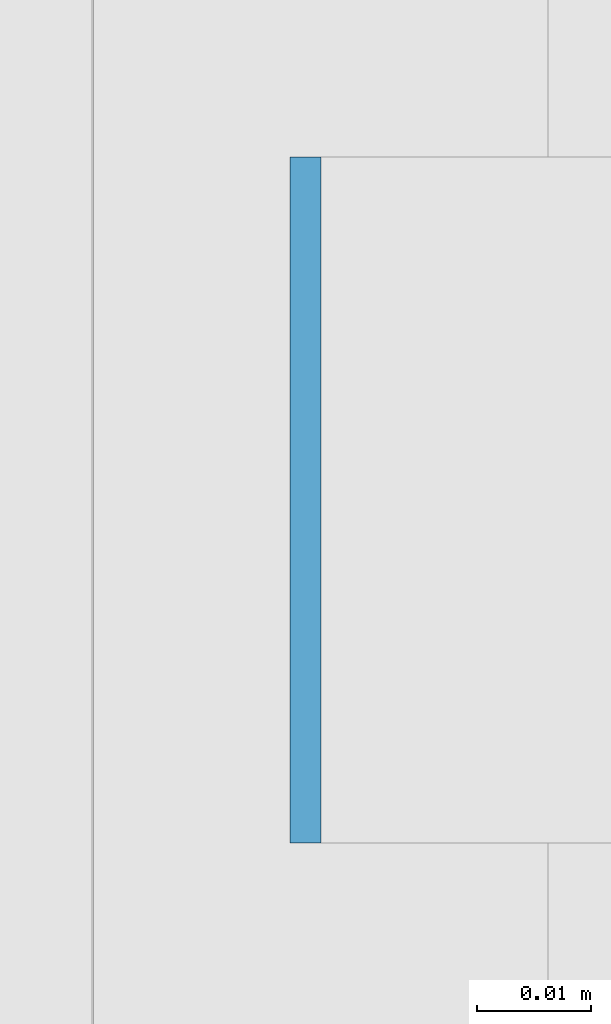
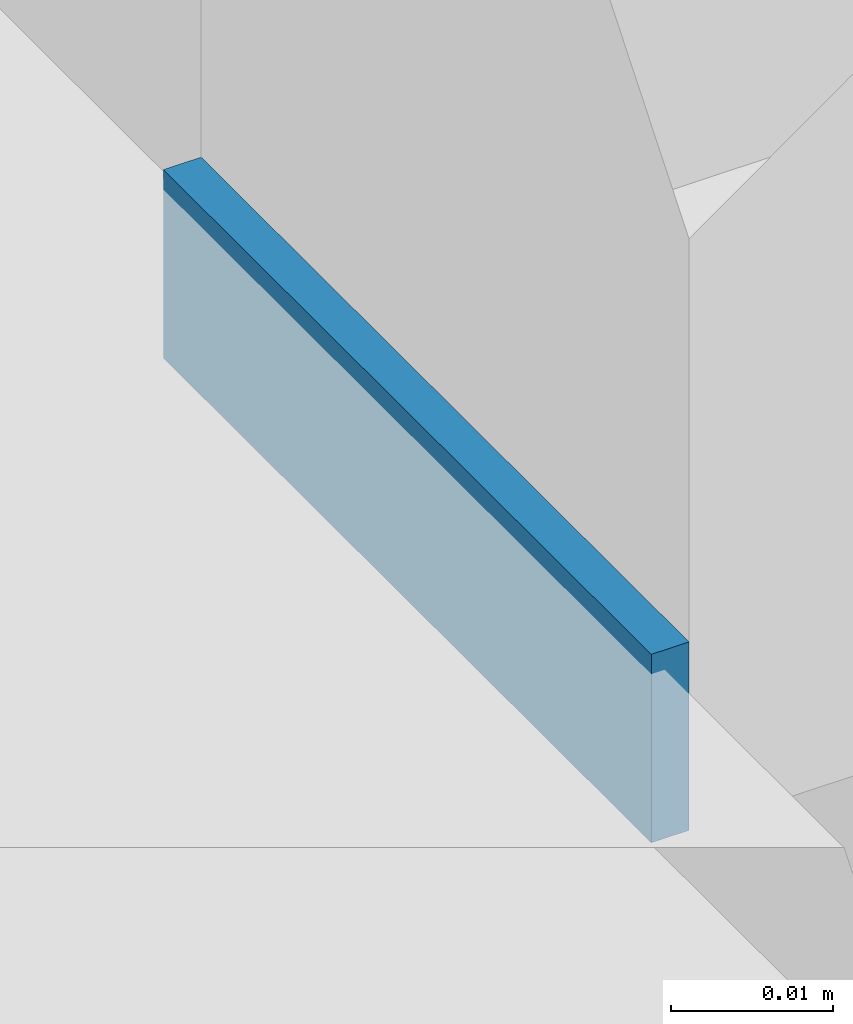
# One storey, part 512 of 646: 1 discrete accessory.
"""IFC4 building model written with IfcOpenShell, lengths in metres."""

from ifc_helpers import new_model, si_unit, direction, frame, origin, origin_2d, place, context, subcontext, project, spatial, rectangle, extrude, material, type_object, element, save


model = new_model("IFC4")

# Units and contexts
model_context = context("Model", 3, precision=1e-05, world=origin(), true_north=direction((0.0, 1.0)))
body_context = subcontext(model_context, "Body", "Model", "MODEL_VIEW")
ifc_project = project(units=[si_unit("LENGTHUNIT", "METRE"), si_unit("AREAUNIT", "SQUARE_METRE"), si_unit("VOLUMEUNIT", "CUBIC_METRE"), si_unit("PLANEANGLEUNIT", "RADIAN"), si_unit("MASSUNIT", "GRAM", prefix="KILO")], contexts=[model_context])

# Site, building, storey
site_placement = place(None, origin())
site = spatial("IfcSite", under=ifc_project, at=site_placement, CompositionType="ELEMENT")
building_placement = place(site_placement, origin())
building = spatial("IfcBuilding", under=site, at=building_placement, Name="Silverbay Arena", CompositionType="ELEMENT")
storey_placement = place(building_placement, frame((0.0, 0.0, 33.5)))
storey = spatial("IfcBuildingStorey", under=building, at=storey_placement, Name="L05", CompositionType="ELEMENT", Elevation=33.5)

# Discrete accessory
ifc_material = material(Name="Steel S355", Category="steel")
discrete_accessory_type = type_object("IfcDiscreteAccessoryType", Name="Steel bracket plate", PredefinedType="BRACKET", material=ifc_material)
discrete_accessory_placement = place(storey_placement, frame((207.128662109375, 73.28564453125, 4.0), z_axis=(0.0, 0.0, 1.0), x_axis=(1.0, 0.0, 0.0)))
element("IfcDiscreteAccessory", 1, at=discrete_accessory_placement, inside=storey, type_object=discrete_accessory_type, Name="Curtain wall packing plate", PredefinedType="BRACKET", context=body_context, shape_type="SweptSolid", body=[
    extrude(rectangle(XDim=0.002685546875, YDim=0.06005859375, at=origin_2d()), origin(), (0.0, 0.0, 1.0), 0.01416015625),
])

save(model, "model.ifc")
